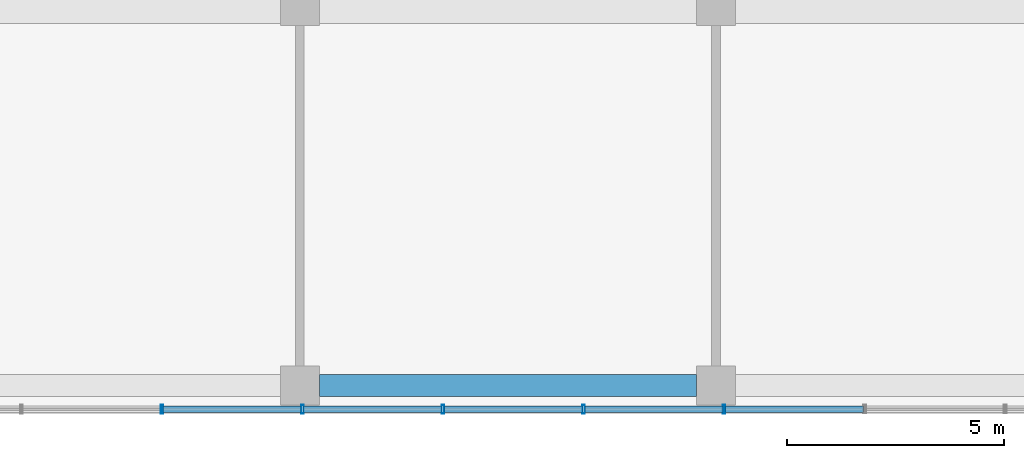
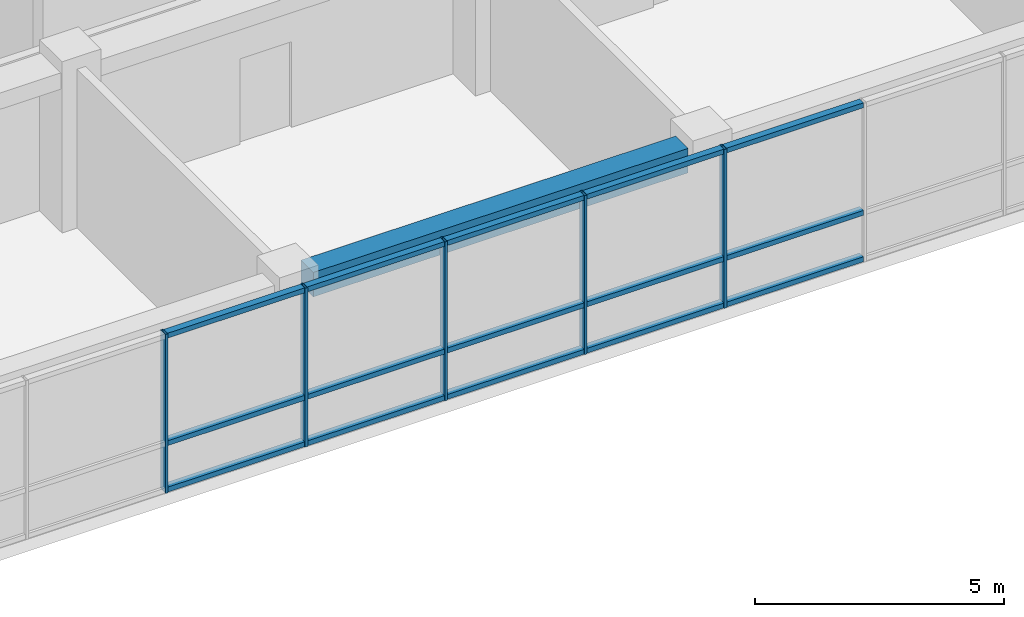
# One storey, part 4 of 36: 20 members, 1 beam, 1 element without a shape of its own.
"""IFC4 building model written with IfcOpenShell, lengths in metres."""

from ifc_helpers import new_model, si_unit, direction, frame, origin, origin_2d, place, context, subcontext, project, spatial, rectangle, hollow_rectangle, extrude, material, layer, layer_set, material_profile, profile_set, type_object, element, aggregate, save


model = new_model("IFC4")

# Units and contexts
model_context = context("Model", 3, precision=1e-05, world=origin(), true_north=direction((0.0, 1.0)))
body_context = subcontext(model_context, "Body", "Model", "MODEL_VIEW")
ifc_project = project(units=[si_unit("LENGTHUNIT", "METRE"), si_unit("AREAUNIT", "SQUARE_METRE"), si_unit("VOLUMEUNIT", "CUBIC_METRE"), si_unit("PLANEANGLEUNIT", "RADIAN"), si_unit("MASSUNIT", "GRAM", prefix="KILO")], contexts=[model_context])

# Site, building, storey
site_placement = place(None, origin())
site = spatial("IfcSite", under=ifc_project, at=site_placement, CompositionType="ELEMENT")
building_placement = place(site_placement, origin())
building = spatial("IfcBuilding", under=site, at=building_placement, Name="Nzadi Deep Aquarium and Research Tower", CompositionType="ELEMENT")
storey_placement = place(building_placement, frame((0.0, 0.0, 36.10009765625)))
storey = spatial("IfcBuildingStorey", under=building, at=storey_placement, Name="L06", CompositionType="ELEMENT", Elevation=36.10009765625)

# Curtain wall, members
ifc_material_1 = material(Name="Aluminium unitised frame", Category="aluminium")
ifc_layer = layer(ifc_material_1, 0.199951171875)
ifc_layer_set = layer_set([ifc_layer], Name="Aluminium unitised frame")
curtain_wall_type = type_object("IfcCurtainWallType", Name="Curtain wall Unitised 200", PredefinedType="NOTDEFINED", material=ifc_layer_set)
curtain_wall_placement = place(storey_placement, origin())
curtain_wall = element("IfcCurtainWall", 1, at=curtain_wall_placement, inside=storey, type_object=curtain_wall_type, Name="Unitised curtain wall blade A south L06", PredefinedType="NOTDEFINED")
ifc_material_2 = material(Name="Aluminium unitised frame", Category="aluminium")
ifc_material_profile_1 = material_profile(ifc_material_2, hollow_rectangle(XDim=0.199951171875, YDim=0.06005859375, WallThickness=0.0048828125, at=origin_2d()))
ifc_profile_set_1 = profile_set([ifc_material_profile_1], Name="Aluminium unitised frame")
member_type_1 = type_object("IfcMemberType", Name="Mullion 60x200 Unitised", PredefinedType="MULLION", material=ifc_profile_set_1)
member_1_placement = place(storey_placement, frame((16.0166015625, -0.10009765625, 0.0), z_axis=(0.0, 0.0, 1.0), x_axis=(0.0, 1.0, 0.0)))
member_1 = element("IfcMember", 2, at=member_1_placement, type_object=member_type_1, Name="CW008 mullion 6", PredefinedType="MULLION", context=body_context, shape_type="SweptSolid", body=[
    extrude(hollow_rectangle(XDim=0.199951171875, YDim=0.06005859375, WallThickness=0.0048828125, at=origin_2d()), origin(), (0.0, 0.0, 1.0), 3.89990234375),
])
member_2_placement = place(storey_placement, frame((19.260009765625, -0.10009765625, 0.0), z_axis=(0.0, 0.0, 1.0), x_axis=(0.0, 1.0, 0.0)))
member_2 = element("IfcMember", 3, at=member_2_placement, type_object=member_type_1, Name="CW008 mullion 7", PredefinedType="MULLION", context=body_context, shape_type="SweptSolid", body=[
    extrude(hollow_rectangle(XDim=0.199951171875, YDim=0.06005859375, WallThickness=0.0048828125, at=origin_2d()), origin(), (0.0, 0.0, 1.0), 3.89990234375),
])
member_3_placement = place(storey_placement, frame((22.50341796875, -0.10009765625, 0.0), z_axis=(0.0, 0.0, 1.0), x_axis=(0.0, 1.0, 0.0)))
member_3 = element("IfcMember", 4, at=member_3_placement, type_object=member_type_1, Name="CW008 mullion 8", PredefinedType="MULLION", context=body_context, shape_type="SweptSolid", body=[
    extrude(hollow_rectangle(XDim=0.199951171875, YDim=0.06005859375, WallThickness=0.0048828125, at=origin_2d()), origin(), (0.0, 0.0, 1.0), 3.89990234375),
])
member_4_placement = place(storey_placement, frame((25.74658203125, -0.10009765625, 0.0), z_axis=(0.0, 0.0, 1.0), x_axis=(0.0, 1.0, 0.0)))
member_4 = element("IfcMember", 5, at=member_4_placement, type_object=member_type_1, Name="CW008 mullion 9", PredefinedType="MULLION", context=body_context, shape_type="SweptSolid", body=[
    extrude(hollow_rectangle(XDim=0.199951171875, YDim=0.06005859375, WallThickness=0.0048828125, at=origin_2d()), origin(), (0.0, 0.0, 1.0), 3.89990234375),
])
member_5_placement = place(storey_placement, frame((28.989990234375, -0.10009765625, 0.0), z_axis=(0.0, 0.0, 1.0), x_axis=(0.0, 1.0, 0.0)))
member_5 = element("IfcMember", 6, at=member_5_placement, type_object=member_type_1, Name="CW008 mullion 10", PredefinedType="MULLION", context=body_context, shape_type="SweptSolid", body=[
    extrude(hollow_rectangle(XDim=0.199951171875, YDim=0.06005859375, WallThickness=0.0048828125, at=origin_2d()), origin(), (0.0, 0.0, 1.0), 3.89990234375),
])

# Beam
ifc_material_3 = material(Name="Concrete C35/45", Category="concrete")
ifc_material_profile_2 = material_profile(ifc_material_3, rectangle(XDim=0.5, YDim=0.60009765625, at=origin_2d()))
ifc_profile_set_2 = profile_set([ifc_material_profile_2], Name="Concrete C35/45")
beam_type = type_object("IfcBeamType", Name="RC 500x600", PredefinedType="BEAM", material=ifc_profile_set_2)
beam_placement = place(storey_placement, frame((19.64990234375, 0.449951171875, 3.599853515625), z_axis=(1.0, 0.0, 0.0), x_axis=(0.0, 1.0, 0.0)))
element("IfcBeam", 7, at=beam_placement, inside=storey, type_object=beam_type, Name="B-Z1-L06-L1-3", PredefinedType="BEAM", context=body_context, shape_type="SweptSolid", body=[
    extrude(rectangle(XDim=0.5, YDim=0.60009765625, at=origin_2d()), origin(), (0.0, 0.0, 1.0), 8.7001953125),
])

# Member
ifc_material_4 = material(Name="Aluminium unitised frame", Category="aluminium")
ifc_material_profile_3 = material_profile(ifc_material_4, hollow_rectangle(XDim=0.159912109375, YDim=0.1201171875, WallThickness=0.0048828125, at=origin_2d()))
ifc_profile_set_3 = profile_set([ifc_material_profile_3], Name="Aluminium unitised frame")
member_type_2 = type_object("IfcMemberType", Name="Transom 120x160 Unitised", PredefinedType="MULLION", material=ifc_profile_set_3)
member_6_placement = place(storey_placement, frame((16.046630859375, -0.10009765625, 0.059814453125), z_axis=(1.0, 0.0, 0.0), x_axis=(0.0, 1.0, 0.0)))
member_6 = element("IfcMember", 8, at=member_6_placement, type_object=member_type_2, Name="CW008 transom 6.1", PredefinedType="MULLION", context=body_context, shape_type="SweptSolid", body=[
    extrude(hollow_rectangle(XDim=0.159912109375, YDim=0.1201171875, WallThickness=0.0048828125, at=origin_2d()), origin(), (0.0, 0.0, 1.0), 3.183349609375),
])

member_7_placement = place(storey_placement, frame((16.046630859375, -0.10009765625, 1.199951171875), z_axis=(1.0, 0.0, 0.0), x_axis=(0.0, 1.0, 0.0)))
member_7 = element("IfcMember", 9, at=member_7_placement, type_object=member_type_2, Name="CW008 transom 6.2", PredefinedType="MULLION", context=body_context, shape_type="SweptSolid", body=[
    extrude(hollow_rectangle(XDim=0.159912109375, YDim=0.1201171875, WallThickness=0.0048828125, at=origin_2d()), origin(), (0.0, 0.0, 1.0), 3.183349609375),
])

member_8_placement = place(storey_placement, frame((16.046630859375, -0.10009765625, 3.83984375), z_axis=(1.0, 0.0, 0.0), x_axis=(0.0, 1.0, 0.0)))
member_8 = element("IfcMember", 10, at=member_8_placement, type_object=member_type_2, Name="CW008 transom 6.3", PredefinedType="MULLION", context=body_context, shape_type="SweptSolid", body=[
    extrude(hollow_rectangle(XDim=0.159912109375, YDim=0.1201171875, WallThickness=0.0048828125, at=origin_2d()), origin(), (0.0, 0.0, 1.0), 3.183349609375),
])

member_9_placement = place(storey_placement, frame((19.2900390625, -0.10009765625, 0.059814453125), z_axis=(1.0, 0.0, 0.0), x_axis=(0.0, 1.0, 0.0)))
member_9 = element("IfcMember", 11, at=member_9_placement, type_object=member_type_2, Name="CW008 transom 7.1", PredefinedType="MULLION", context=body_context, shape_type="SweptSolid", body=[
    extrude(hollow_rectangle(XDim=0.159912109375, YDim=0.1201171875, WallThickness=0.0048828125, at=origin_2d()), origin(), (0.0, 0.0, 1.0), 3.183349609375),
])

member_10_placement = place(storey_placement, frame((19.2900390625, -0.10009765625, 1.199951171875), z_axis=(1.0, 0.0, 0.0), x_axis=(0.0, 1.0, 0.0)))
member_10 = element("IfcMember", 12, at=member_10_placement, type_object=member_type_2, Name="CW008 transom 7.2", PredefinedType="MULLION", context=body_context, shape_type="SweptSolid", body=[
    extrude(hollow_rectangle(XDim=0.159912109375, YDim=0.1201171875, WallThickness=0.0048828125, at=origin_2d()), origin(), (0.0, 0.0, 1.0), 3.183349609375),
])

member_11_placement = place(storey_placement, frame((19.2900390625, -0.10009765625, 3.83984375), z_axis=(1.0, 0.0, 0.0), x_axis=(0.0, 1.0, 0.0)))
member_11 = element("IfcMember", 13, at=member_11_placement, type_object=member_type_2, Name="CW008 transom 7.3", PredefinedType="MULLION", context=body_context, shape_type="SweptSolid", body=[
    extrude(hollow_rectangle(XDim=0.159912109375, YDim=0.1201171875, WallThickness=0.0048828125, at=origin_2d()), origin(), (0.0, 0.0, 1.0), 3.183349609375),
])

member_12_placement = place(storey_placement, frame((22.533447265625, -0.10009765625, 0.059814453125), z_axis=(1.0, 0.0, 0.0), x_axis=(0.0, 1.0, 0.0)))
member_12 = element("IfcMember", 14, at=member_12_placement, type_object=member_type_2, Name="CW008 transom 8.1", PredefinedType="MULLION", context=body_context, shape_type="SweptSolid", body=[
    extrude(hollow_rectangle(XDim=0.159912109375, YDim=0.1201171875, WallThickness=0.0048828125, at=origin_2d()), origin(), (0.0, 0.0, 1.0), 3.18310546875),
])

member_13_placement = place(storey_placement, frame((22.533447265625, -0.10009765625, 1.199951171875), z_axis=(1.0, 0.0, 0.0), x_axis=(0.0, 1.0, 0.0)))
member_13 = element("IfcMember", 15, at=member_13_placement, type_object=member_type_2, Name="CW008 transom 8.2", PredefinedType="MULLION", context=body_context, shape_type="SweptSolid", body=[
    extrude(hollow_rectangle(XDim=0.159912109375, YDim=0.1201171875, WallThickness=0.0048828125, at=origin_2d()), origin(), (0.0, 0.0, 1.0), 3.18310546875),
])

member_14_placement = place(storey_placement, frame((22.533447265625, -0.10009765625, 3.83984375), z_axis=(1.0, 0.0, 0.0), x_axis=(0.0, 1.0, 0.0)))
member_14 = element("IfcMember", 16, at=member_14_placement, type_object=member_type_2, Name="CW008 transom 8.3", PredefinedType="MULLION", context=body_context, shape_type="SweptSolid", body=[
    extrude(hollow_rectangle(XDim=0.159912109375, YDim=0.1201171875, WallThickness=0.0048828125, at=origin_2d()), origin(), (0.0, 0.0, 1.0), 3.18310546875),
])

member_15_placement = place(storey_placement, frame((25.776611328125, -0.10009765625, 0.059814453125), z_axis=(1.0, 0.0, 0.0), x_axis=(0.0, 1.0, 0.0)))
member_15 = element("IfcMember", 17, at=member_15_placement, type_object=member_type_2, Name="CW008 transom 9.1", PredefinedType="MULLION", context=body_context, shape_type="SweptSolid", body=[
    extrude(hollow_rectangle(XDim=0.159912109375, YDim=0.1201171875, WallThickness=0.0048828125, at=origin_2d()), origin(), (0.0, 0.0, 1.0), 3.183349609375),
])

member_16_placement = place(storey_placement, frame((25.776611328125, -0.10009765625, 1.199951171875), z_axis=(1.0, 0.0, 0.0), x_axis=(0.0, 1.0, 0.0)))
member_16 = element("IfcMember", 18, at=member_16_placement, type_object=member_type_2, Name="CW008 transom 9.2", PredefinedType="MULLION", context=body_context, shape_type="SweptSolid", body=[
    extrude(hollow_rectangle(XDim=0.159912109375, YDim=0.1201171875, WallThickness=0.0048828125, at=origin_2d()), origin(), (0.0, 0.0, 1.0), 3.183349609375),
])

member_17_placement = place(storey_placement, frame((25.776611328125, -0.10009765625, 3.83984375), z_axis=(1.0, 0.0, 0.0), x_axis=(0.0, 1.0, 0.0)))
member_17 = element("IfcMember", 19, at=member_17_placement, type_object=member_type_2, Name="CW008 transom 9.3", PredefinedType="MULLION", context=body_context, shape_type="SweptSolid", body=[
    extrude(hollow_rectangle(XDim=0.159912109375, YDim=0.1201171875, WallThickness=0.0048828125, at=origin_2d()), origin(), (0.0, 0.0, 1.0), 3.183349609375),
])

member_18_placement = place(storey_placement, frame((29.02001953125, -0.10009765625, 0.059814453125), z_axis=(1.0, 0.0, 0.0), x_axis=(0.0, 1.0, 0.0)))
member_18 = element("IfcMember", 20, at=member_18_placement, type_object=member_type_2, Name="CW008 transom 10.1", PredefinedType="MULLION", context=body_context, shape_type="SweptSolid", body=[
    extrude(hollow_rectangle(XDim=0.159912109375, YDim=0.1201171875, WallThickness=0.0048828125, at=origin_2d()), origin(), (0.0, 0.0, 1.0), 3.183349609375),
])

member_19_placement = place(storey_placement, frame((29.02001953125, -0.10009765625, 1.199951171875), z_axis=(1.0, 0.0, 0.0), x_axis=(0.0, 1.0, 0.0)))
member_19 = element("IfcMember", 21, at=member_19_placement, type_object=member_type_2, Name="CW008 transom 10.2", PredefinedType="MULLION", context=body_context, shape_type="SweptSolid", body=[
    extrude(hollow_rectangle(XDim=0.159912109375, YDim=0.1201171875, WallThickness=0.0048828125, at=origin_2d()), origin(), (0.0, 0.0, 1.0), 3.183349609375),
])

member_20_placement = place(storey_placement, frame((29.02001953125, -0.10009765625, 3.83984375), z_axis=(1.0, 0.0, 0.0), x_axis=(0.0, 1.0, 0.0)))
member_20 = element("IfcMember", 22, at=member_20_placement, type_object=member_type_2, Name="CW008 transom 10.3", PredefinedType="MULLION", context=body_context, shape_type="SweptSolid", body=[
    extrude(hollow_rectangle(XDim=0.159912109375, YDim=0.1201171875, WallThickness=0.0048828125, at=origin_2d()), origin(), (0.0, 0.0, 1.0), 3.183349609375),
])

aggregate(curtain_wall, [member_1, member_2, member_3, member_4, member_5, member_6, member_7, member_8, member_9, member_10, member_11, member_12, member_13, member_14, member_15, member_16, member_17, member_18, member_19, member_20])

save(model, "model.ifc")
